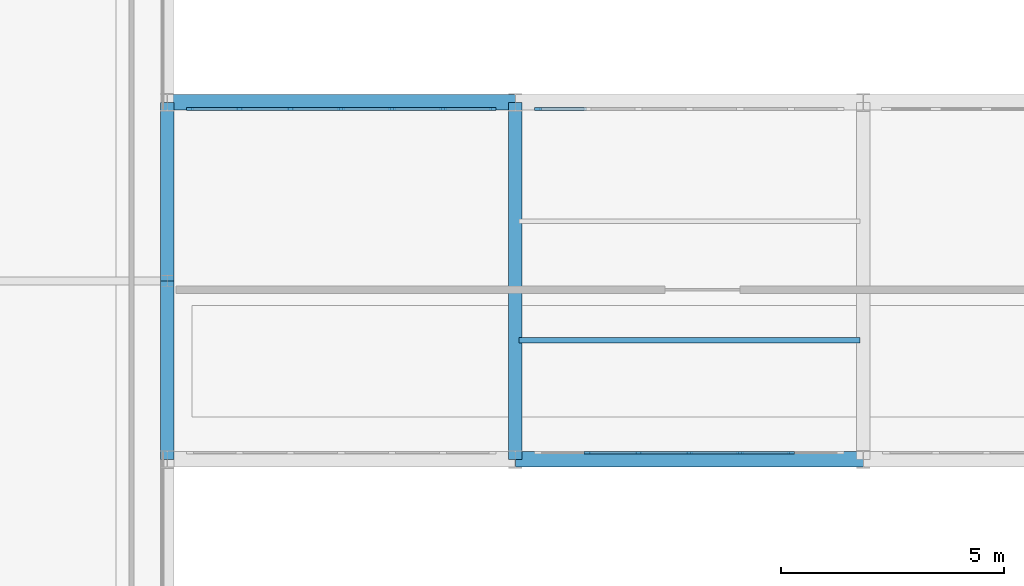
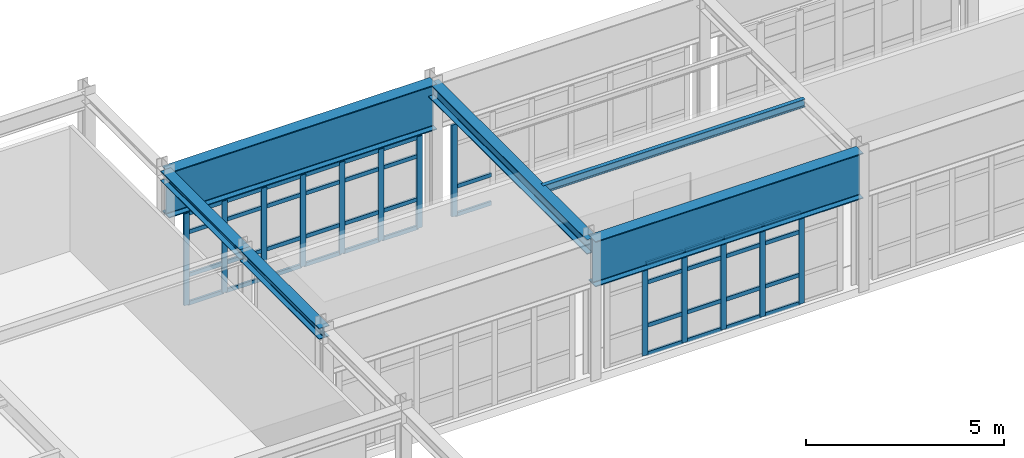
# One storey, part 32 of 106: 55 members, 6 beams, 3 elements without a shape of their own.
"""IFC4 building model written with IfcOpenShell, lengths in metres."""

from ifc_helpers import new_model, si_unit, derived_unit, direction, frame, origin, origin_2d, place, context, subcontext, project, spatial, rectangle, i_section, extrude, material, layer, layer_set, material_profile, profile_set, type_object, element, aggregate, save


model = new_model("IFC4")

# Units and contexts
model_context = context("Model", 3, precision=1e-05, world=origin(), true_north=direction((0.0, 1.0)))
body_context = subcontext(model_context, "Body", "Model", "MODEL_VIEW")
ifc_project = project(units=[si_unit("LENGTHUNIT", "METRE"), si_unit("AREAUNIT", "SQUARE_METRE"), si_unit("VOLUMEUNIT", "CUBIC_METRE"), si_unit("PLANEANGLEUNIT", "RADIAN"), si_unit("MASSUNIT", "GRAM", prefix="KILO"), derived_unit("THERMALTRANSMITTANCEUNIT", [(si_unit("POWERUNIT", "WATT"), 1), (si_unit("AREAUNIT", "SQUARE_METRE"), -1), (si_unit("THERMODYNAMICTEMPERATUREUNIT", "KELVIN"), -1)])], contexts=[model_context])

# Site, building, storey
site_placement = place(None, origin())
site = spatial("IfcSite", under=ifc_project, at=site_placement, CompositionType="ELEMENT")
building_placement = place(site_placement, origin())
building = spatial("IfcBuilding", under=site, at=building_placement, Name="Yasenodar Specialist Clinic", CompositionType="ELEMENT")
storey_placement = place(building_placement, frame((0.0, 0.0, 4.5)))
storey = spatial("IfcBuildingStorey", under=building, at=storey_placement, Name="L01", CompositionType="ELEMENT", Elevation=4.5)

# Beams
ifc_material_1 = material(Name="Steel S355", Category="steel")
ifc_material_profile_1 = material_profile(ifc_material_1, i_section(OverallWidth=0.300048828125, OverallDepth=0.300048828125, WebThickness=0.010986328125, FlangeThickness=0.01904296875, FilletRadius=0.027099609375, at=origin_2d()), Name="HEB 300")
ifc_profile_set_1 = profile_set([ifc_material_profile_1], Name="Steel S355")
beam_type_1 = type_object("IfcBeamType", Name="BM-HEB300", PredefinedType="BEAM", material=ifc_profile_set_1)
beam_1_placement = place(storey_placement, frame((33.60009765625, 58.800048828125, 4.10009765625), z_axis=(0.0, 1.0, 0.0), x_axis=(-1.0, 0.0, 0.0)))
element("IfcBeam", 1, at=beam_1_placement, inside=storey, type_object=beam_type_1, Name="L01 Primary N-S Girder", PredefinedType="BEAM", context=body_context, shape_type="SweptSolid", body=[
    extrude(i_section(OverallWidth=0.300048828125, OverallDepth=0.300048828125, WebThickness=0.010986328125, FlangeThickness=0.01904296875, FilletRadius=0.027099609375, at=origin_2d()), origin(), (0.0, 0.0, 1.0), 4.0),
])
ifc_material_profile_2 = material_profile(ifc_material_1, i_section(OverallWidth=0.300048828125, OverallDepth=0.340087890625, WebThickness=0.011962890625, FlangeThickness=0.021484375, FilletRadius=0.027099609375, at=origin_2d()), Name="HEB 340")
ifc_profile_set_2 = profile_set([ifc_material_profile_2], Name="Steel S355")
beam_type_2 = type_object("IfcBeamType", Name="BM-HEB340", PredefinedType="BEAM", material=ifc_profile_set_2)
beam_2_placement = place(storey_placement, frame((33.60009765625, 54.800048828125, 4.080078125), z_axis=(0.0, 1.0, 0.0), x_axis=(-1.0, 0.0, 0.0)))
element("IfcBeam", 2, at=beam_2_placement, inside=storey, type_object=beam_type_2, Name="L01 Primary N-S Girder", PredefinedType="BEAM", context=body_context, shape_type="SweptSolid", body=[
    extrude(i_section(OverallWidth=0.300048828125, OverallDepth=0.340087890625, WebThickness=0.011962890625, FlangeThickness=0.021484375, FilletRadius=0.027099609375, at=origin_2d()), origin(), (0.0, 0.0, 1.0), 4.0),
])
ifc_material_profile_3 = material_profile(ifc_material_1, i_section(OverallWidth=0.300048828125, OverallDepth=0.449951171875, WebThickness=0.013916015625, FlangeThickness=0.02587890625, FilletRadius=0.027099609375, at=origin_2d()), Name="HEB 450")
ifc_profile_set_3 = profile_set([ifc_material_profile_3], Name="Steel S355")
beam_type_3 = type_object("IfcBeamType", Name="BM-HEB450", PredefinedType="BEAM", material=ifc_profile_set_3)
beam_3_placement = place(storey_placement, frame((41.39990234375, 54.800048828125, 4.02490234375), z_axis=(0.0, 1.0, 0.0), x_axis=(-1.0, 0.0, 0.0)))
element("IfcBeam", 3, at=beam_3_placement, inside=storey, type_object=beam_type_3, Name="L01 Primary N-S Girder", PredefinedType="BEAM", context=body_context, shape_type="SweptSolid", body=[
    extrude(i_section(OverallWidth=0.300048828125, OverallDepth=0.449951171875, WebThickness=0.013916015625, FlangeThickness=0.02587890625, FilletRadius=0.027099609375, at=origin_2d()), origin(), (0.0, 0.0, 1.0), 8.0),
])
ifc_material_profile_4 = material_profile(ifc_material_1, i_section(OverallWidth=0.35009765625, OverallDepth=1.39990234375, WebThickness=0.01611328125, FlangeThickness=0.028076171875, FilletRadius=0.02392578125, at=origin_2d()), Name="PG 1400x350")
ifc_profile_set_4 = profile_set([ifc_material_profile_4], Name="Steel S355")
beam_type_4 = type_object("IfcBeamType", Name="BM-PG-1400", PredefinedType="BEAM", material=ifc_profile_set_4)
beam_4_placement = place(storey_placement, frame((41.39990234375, 54.800048828125, 3.550048828125), z_axis=(1.0, 0.0, 0.0), x_axis=(0.0, 1.0, 0.0)))
element("IfcBeam", 4, at=beam_4_placement, inside=storey, type_object=beam_type_4, Name="L01 Light Bridge Plate Girder", PredefinedType="BEAM", context=body_context, shape_type="SweptSolid", body=[
    extrude(i_section(OverallWidth=0.35009765625, OverallDepth=1.39990234375, WebThickness=0.01611328125, FlangeThickness=0.028076171875, FilletRadius=0.02392578125, at=origin_2d()), origin(), (0.0, 0.0, 1.0), 7.800048828125),
])
beam_5_placement = place(storey_placement, frame((33.60009765625, 62.800048828125, 3.550048828125), z_axis=(1.0, 0.0, 0.0), x_axis=(0.0, 1.0, 0.0)))
element("IfcBeam", 5, at=beam_5_placement, inside=storey, type_object=beam_type_4, Name="L01 Light Bridge Plate Girder", PredefinedType="BEAM", context=body_context, shape_type="SweptSolid", body=[
    extrude(i_section(OverallWidth=0.35009765625, OverallDepth=1.39990234375, WebThickness=0.01611328125, FlangeThickness=0.028076171875, FilletRadius=0.02392578125, at=origin_2d()), origin(), (0.0, 0.0, 1.0), 7.7998046875),
])

# Curtain wall, members
ifc_material_2 = material(Name="Bronze Anodized Aluminium and Triple Low-E Glass", Category="aluminium")
ifc_layer = layer(ifc_material_2, 0.19091796875)
ifc_layer_set = layer_set([ifc_layer], Name="Bronze Anodized Aluminium and Triple Low-E Glass")
curtain_wall_type = type_object("IfcCurtainWallType", Name="CW-SYS-03", PredefinedType="USERDEFINED", material=ifc_layer_set)
curtain_wall_1_placement = place(storey_placement, origin())
curtain_wall_1 = element("IfcCurtainWall", 6, at=curtain_wall_1_placement, inside=storey, type_object=curtain_wall_type, Name="L01 Unitised Curtain Wall 101", ObjectType="UNITISED CURTAIN WALL", PredefinedType="USERDEFINED")
ifc_material_3 = material(Name="Bronze Anodized Aluminium", Category="aluminium")
ifc_material_profile_5 = material_profile(ifc_material_3, rectangle(XDim=0.06005859375, YDim=0.159912109375, at=origin_2d()), Name="CW-MULL 60x160")
ifc_profile_set_5 = profile_set([ifc_material_profile_5], Name="Bronze Anodized Aluminium")
member_type_1 = type_object("IfcMemberType", Name="CW-MULL-160", PredefinedType="MULLION", material=ifc_profile_set_5)
member_1_placement = place(storey_placement, frame((34.110107421875, 62.64990234375, 0.0), z_axis=(0.0, 0.0, 1.0), x_axis=(0.0, 1.0, 0.0)))
member_1 = element("IfcMember", 7, at=member_1_placement, type_object=member_type_1, Name="CW-03 mullion 1", PredefinedType="MULLION", context=body_context, shape_type="SweptSolid", body=[
    extrude(rectangle(XDim=0.06005859375, YDim=0.159912109375, at=origin_2d()), origin(), (0.0, 0.0, 1.0), 2.827880859375),
])
member_2_placement = place(storey_placement, frame((35.219970703125, 62.64990234375, 0.0), z_axis=(0.0, 0.0, 1.0), x_axis=(0.0, 1.0, 0.0)))
member_2 = element("IfcMember", 8, at=member_2_placement, type_object=member_type_1, Name="CW-03 mullion 2", PredefinedType="MULLION", context=body_context, shape_type="SweptSolid", body=[
    extrude(rectangle(XDim=0.06005859375, YDim=0.159912109375, at=origin_2d()), origin(), (0.0, 0.0, 1.0), 2.827880859375),
])
member_3_placement = place(storey_placement, frame((36.360107421875, 62.64990234375, 0.0), z_axis=(0.0, 0.0, 1.0), x_axis=(0.0, 1.0, 0.0)))
member_3 = element("IfcMember", 9, at=member_3_placement, type_object=member_type_1, Name="CW-03 mullion 3", PredefinedType="MULLION", context=body_context, shape_type="SweptSolid", body=[
    extrude(rectangle(XDim=0.06005859375, YDim=0.159912109375, at=origin_2d()), origin(), (0.0, 0.0, 1.0), 2.827880859375),
])
member_4_placement = place(storey_placement, frame((37.5, 62.64990234375, 0.0), z_axis=(0.0, 0.0, 1.0), x_axis=(0.0, 1.0, 0.0)))
member_4 = element("IfcMember", 10, at=member_4_placement, type_object=member_type_1, Name="CW-03 mullion 4", PredefinedType="MULLION", context=body_context, shape_type="SweptSolid", body=[
    extrude(rectangle(XDim=0.06005859375, YDim=0.159912109375, at=origin_2d()), origin(), (0.0, 0.0, 1.0), 2.827880859375),
])
member_5_placement = place(storey_placement, frame((38.639892578125, 62.64990234375, 0.0), z_axis=(0.0, 0.0, 1.0), x_axis=(0.0, 1.0, 0.0)))
member_5 = element("IfcMember", 11, at=member_5_placement, type_object=member_type_1, Name="CW-03 mullion 5", PredefinedType="MULLION", context=body_context, shape_type="SweptSolid", body=[
    extrude(rectangle(XDim=0.06005859375, YDim=0.159912109375, at=origin_2d()), origin(), (0.0, 0.0, 1.0), 2.827880859375),
])
member_6_placement = place(storey_placement, frame((39.780029296875, 62.64990234375, 0.0), z_axis=(0.0, 0.0, 1.0), x_axis=(0.0, 1.0, 0.0)))
member_6 = element("IfcMember", 12, at=member_6_placement, type_object=member_type_1, Name="CW-03 mullion 6", PredefinedType="MULLION", context=body_context, shape_type="SweptSolid", body=[
    extrude(rectangle(XDim=0.06005859375, YDim=0.159912109375, at=origin_2d()), origin(), (0.0, 0.0, 1.0), 2.827880859375),
])
member_7_placement = place(storey_placement, frame((40.889892578125, 62.64990234375, 0.0), z_axis=(0.0, 0.0, 1.0), x_axis=(0.0, 1.0, 0.0)))
member_7 = element("IfcMember", 13, at=member_7_placement, type_object=member_type_1, Name="CW-03 mullion 7", PredefinedType="MULLION", context=body_context, shape_type="SweptSolid", body=[
    extrude(rectangle(XDim=0.06005859375, YDim=0.159912109375, at=origin_2d()), origin(), (0.0, 0.0, 1.0), 2.827880859375),
])

# Curtain wall, member
curtain_wall_2_placement = place(storey_placement, origin())
curtain_wall_2 = element("IfcCurtainWall", 14, at=curtain_wall_2_placement, inside=storey, type_object=curtain_wall_type, Name="L01 Unitised Curtain Wall 103", ObjectType="UNITISED CURTAIN WALL", PredefinedType="USERDEFINED")
member_8_placement = place(storey_placement, frame((41.909912109375, 62.64990234375, 0.0), z_axis=(0.0, 0.0, 1.0), x_axis=(0.0, 1.0, 0.0)))
member_8 = element("IfcMember", 15, at=member_8_placement, type_object=member_type_1, Name="CW-03 mullion 1", PredefinedType="MULLION", context=body_context, shape_type="SweptSolid", body=[
    extrude(rectangle(XDim=0.06005859375, YDim=0.159912109375, at=origin_2d()), origin(), (0.0, 0.0, 1.0), 2.827880859375),
])

# Curtain wall, members
curtain_wall_3_placement = place(storey_placement, origin())
curtain_wall_3 = element("IfcCurtainWall", 16, at=curtain_wall_3_placement, inside=storey, type_object=curtain_wall_type, Name="L01 Unitised Curtain Wall 104", ObjectType="UNITISED CURTAIN WALL", PredefinedType="USERDEFINED")
member_9_placement = place(storey_placement, frame((47.580078125, 54.949951171875, 0.0), z_axis=(0.0, 0.0, 1.0), x_axis=(0.0, -1.0, 0.0)))
member_9 = element("IfcMember", 17, at=member_9_placement, type_object=member_type_1, Name="CW-03 mullion 2", PredefinedType="MULLION", context=body_context, shape_type="SweptSolid", body=[
    extrude(rectangle(XDim=0.06005859375, YDim=0.159912109375, at=origin_2d()), origin(), (0.0, 0.0, 1.0), 2.827880859375),
])
member_10_placement = place(storey_placement, frame((46.43994140625, 54.949951171875, 0.0), z_axis=(0.0, 0.0, 1.0), x_axis=(0.0, -1.0, 0.0)))
member_10 = element("IfcMember", 18, at=member_10_placement, type_object=member_type_1, Name="CW-03 mullion 3", PredefinedType="MULLION", context=body_context, shape_type="SweptSolid", body=[
    extrude(rectangle(XDim=0.06005859375, YDim=0.159912109375, at=origin_2d()), origin(), (0.0, 0.0, 1.0), 2.827880859375),
])
member_11_placement = place(storey_placement, frame((45.300048828125, 54.949951171875, 0.0), z_axis=(0.0, 0.0, 1.0), x_axis=(0.0, -1.0, 0.0)))
member_11 = element("IfcMember", 19, at=member_11_placement, type_object=member_type_1, Name="CW-03 mullion 4", PredefinedType="MULLION", context=body_context, shape_type="SweptSolid", body=[
    extrude(rectangle(XDim=0.06005859375, YDim=0.159912109375, at=origin_2d()), origin(), (0.0, 0.0, 1.0), 2.827880859375),
])
member_12_placement = place(storey_placement, frame((44.159912109375, 54.949951171875, 0.0), z_axis=(0.0, 0.0, 1.0), x_axis=(0.0, -1.0, 0.0)))
member_12 = element("IfcMember", 20, at=member_12_placement, type_object=member_type_1, Name="CW-03 mullion 5", PredefinedType="MULLION", context=body_context, shape_type="SweptSolid", body=[
    extrude(rectangle(XDim=0.06005859375, YDim=0.159912109375, at=origin_2d()), origin(), (0.0, 0.0, 1.0), 2.827880859375),
])
member_13_placement = place(storey_placement, frame((43.02001953125, 54.949951171875, 0.0), z_axis=(0.0, 0.0, 1.0), x_axis=(0.0, -1.0, 0.0)))
member_13 = element("IfcMember", 21, at=member_13_placement, type_object=member_type_1, Name="CW-03 mullion 6", PredefinedType="MULLION", context=body_context, shape_type="SweptSolid", body=[
    extrude(rectangle(XDim=0.06005859375, YDim=0.159912109375, at=origin_2d()), origin(), (0.0, 0.0, 1.0), 2.827880859375),
])

# Member
ifc_material_profile_6 = material_profile(ifc_material_3, rectangle(XDim=0.06005859375, YDim=0.1201171875, at=origin_2d()), Name="CW-TRAN 60x120")
ifc_profile_set_6 = profile_set([ifc_material_profile_6], Name="Bronze Anodized Aluminium")
member_type_2 = type_object("IfcMemberType", Name="CW-TRAN-120", PredefinedType="USERDEFINED", material=ifc_profile_set_6)
member_14_placement = place(storey_placement, frame((34.139892578125, 62.64990234375, 0.030029296875), z_axis=(1.0, 0.0, 0.0), x_axis=(0.0, 1.0, 0.0)))
member_14 = element("IfcMember", 22, at=member_14_placement, type_object=member_type_2, Name="CW-03 transom 1.1", ObjectType="TRANSOM", PredefinedType="USERDEFINED", context=body_context, shape_type="SweptSolid", body=[
    extrude(rectangle(XDim=0.06005859375, YDim=0.1201171875, at=origin_2d()), origin(), (0.0, 0.0, 1.0), 1.050048828125),
])

member_15_placement = place(storey_placement, frame((34.139892578125, 62.64990234375, 0.89990234375), z_axis=(1.0, 0.0, 0.0), x_axis=(0.0, 1.0, 0.0)))
member_15 = element("IfcMember", 23, at=member_15_placement, type_object=member_type_2, Name="CW-03 transom 1.2", ObjectType="TRANSOM", PredefinedType="USERDEFINED", context=body_context, shape_type="SweptSolid", body=[
    extrude(rectangle(XDim=0.06005859375, YDim=0.1201171875, at=origin_2d()), origin(), (0.0, 0.0, 1.0), 1.050048828125),
])

member_16_placement = place(storey_placement, frame((34.139892578125, 62.64990234375, 2.22802734375), z_axis=(1.0, 0.0, 0.0), x_axis=(0.0, 1.0, 0.0)))
member_16 = element("IfcMember", 24, at=member_16_placement, type_object=member_type_2, Name="CW-03 transom 1.3", ObjectType="TRANSOM", PredefinedType="USERDEFINED", context=body_context, shape_type="SweptSolid", body=[
    extrude(rectangle(XDim=0.06005859375, YDim=0.1201171875, at=origin_2d()), origin(), (0.0, 0.0, 1.0), 1.050048828125),
])

member_17_placement = place(storey_placement, frame((34.139892578125, 62.64990234375, 2.798095703125), z_axis=(1.0, 0.0, 0.0), x_axis=(0.0, 1.0, 0.0)))
member_17 = element("IfcMember", 25, at=member_17_placement, type_object=member_type_2, Name="CW-03 transom 1.4", ObjectType="TRANSOM", PredefinedType="USERDEFINED", context=body_context, shape_type="SweptSolid", body=[
    extrude(rectangle(XDim=0.06005859375, YDim=0.1201171875, at=origin_2d()), origin(), (0.0, 0.0, 1.0), 1.050048828125),
])

member_18_placement = place(storey_placement, frame((35.25, 62.64990234375, 0.030029296875), z_axis=(1.0, 0.0, 0.0), x_axis=(0.0, 1.0, 0.0)))
member_18 = element("IfcMember", 26, at=member_18_placement, type_object=member_type_2, Name="CW-03 transom 2.1", ObjectType="TRANSOM", PredefinedType="USERDEFINED", context=body_context, shape_type="SweptSolid", body=[
    extrude(rectangle(XDim=0.06005859375, YDim=0.1201171875, at=origin_2d()), origin(), (0.0, 0.0, 1.0), 1.080078125),
])

member_19_placement = place(storey_placement, frame((35.25, 62.64990234375, 0.89990234375), z_axis=(1.0, 0.0, 0.0), x_axis=(0.0, 1.0, 0.0)))
member_19 = element("IfcMember", 27, at=member_19_placement, type_object=member_type_2, Name="CW-03 transom 2.2", ObjectType="TRANSOM", PredefinedType="USERDEFINED", context=body_context, shape_type="SweptSolid", body=[
    extrude(rectangle(XDim=0.06005859375, YDim=0.1201171875, at=origin_2d()), origin(), (0.0, 0.0, 1.0), 1.080078125),
])

member_20_placement = place(storey_placement, frame((35.25, 62.64990234375, 2.22802734375), z_axis=(1.0, 0.0, 0.0), x_axis=(0.0, 1.0, 0.0)))
member_20 = element("IfcMember", 28, at=member_20_placement, type_object=member_type_2, Name="CW-03 transom 2.3", ObjectType="TRANSOM", PredefinedType="USERDEFINED", context=body_context, shape_type="SweptSolid", body=[
    extrude(rectangle(XDim=0.06005859375, YDim=0.1201171875, at=origin_2d()), origin(), (0.0, 0.0, 1.0), 1.080078125),
])

member_21_placement = place(storey_placement, frame((35.25, 62.64990234375, 2.798095703125), z_axis=(1.0, 0.0, 0.0), x_axis=(0.0, 1.0, 0.0)))
member_21 = element("IfcMember", 29, at=member_21_placement, type_object=member_type_2, Name="CW-03 transom 2.4", ObjectType="TRANSOM", PredefinedType="USERDEFINED", context=body_context, shape_type="SweptSolid", body=[
    extrude(rectangle(XDim=0.06005859375, YDim=0.1201171875, at=origin_2d()), origin(), (0.0, 0.0, 1.0), 1.080078125),
])

member_22_placement = place(storey_placement, frame((36.389892578125, 62.64990234375, 0.030029296875), z_axis=(1.0, 0.0, 0.0), x_axis=(0.0, 1.0, 0.0)))
member_22 = element("IfcMember", 30, at=member_22_placement, type_object=member_type_2, Name="CW-03 transom 3.1", ObjectType="TRANSOM", PredefinedType="USERDEFINED", context=body_context, shape_type="SweptSolid", body=[
    extrude(rectangle(XDim=0.06005859375, YDim=0.1201171875, at=origin_2d()), origin(), (0.0, 0.0, 1.0), 1.080078125),
])

member_23_placement = place(storey_placement, frame((36.389892578125, 62.64990234375, 0.89990234375), z_axis=(1.0, 0.0, 0.0), x_axis=(0.0, 1.0, 0.0)))
member_23 = element("IfcMember", 31, at=member_23_placement, type_object=member_type_2, Name="CW-03 transom 3.2", ObjectType="TRANSOM", PredefinedType="USERDEFINED", context=body_context, shape_type="SweptSolid", body=[
    extrude(rectangle(XDim=0.06005859375, YDim=0.1201171875, at=origin_2d()), origin(), (0.0, 0.0, 1.0), 1.080078125),
])

member_24_placement = place(storey_placement, frame((36.389892578125, 62.64990234375, 2.22802734375), z_axis=(1.0, 0.0, 0.0), x_axis=(0.0, 1.0, 0.0)))
member_24 = element("IfcMember", 32, at=member_24_placement, type_object=member_type_2, Name="CW-03 transom 3.3", ObjectType="TRANSOM", PredefinedType="USERDEFINED", context=body_context, shape_type="SweptSolid", body=[
    extrude(rectangle(XDim=0.06005859375, YDim=0.1201171875, at=origin_2d()), origin(), (0.0, 0.0, 1.0), 1.080078125),
])

member_25_placement = place(storey_placement, frame((36.389892578125, 62.64990234375, 2.798095703125), z_axis=(1.0, 0.0, 0.0), x_axis=(0.0, 1.0, 0.0)))
member_25 = element("IfcMember", 33, at=member_25_placement, type_object=member_type_2, Name="CW-03 transom 3.4", ObjectType="TRANSOM", PredefinedType="USERDEFINED", context=body_context, shape_type="SweptSolid", body=[
    extrude(rectangle(XDim=0.06005859375, YDim=0.1201171875, at=origin_2d()), origin(), (0.0, 0.0, 1.0), 1.080078125),
])

member_26_placement = place(storey_placement, frame((37.530029296875, 62.64990234375, 0.030029296875), z_axis=(1.0, 0.0, 0.0), x_axis=(0.0, 1.0, 0.0)))
member_26 = element("IfcMember", 34, at=member_26_placement, type_object=member_type_2, Name="CW-03 transom 4.1", ObjectType="TRANSOM", PredefinedType="USERDEFINED", context=body_context, shape_type="SweptSolid", body=[
    extrude(rectangle(XDim=0.06005859375, YDim=0.1201171875, at=origin_2d()), origin(), (0.0, 0.0, 1.0), 1.080078125),
])

member_27_placement = place(storey_placement, frame((37.530029296875, 62.64990234375, 0.89990234375), z_axis=(1.0, 0.0, 0.0), x_axis=(0.0, 1.0, 0.0)))
member_27 = element("IfcMember", 35, at=member_27_placement, type_object=member_type_2, Name="CW-03 transom 4.2", ObjectType="TRANSOM", PredefinedType="USERDEFINED", context=body_context, shape_type="SweptSolid", body=[
    extrude(rectangle(XDim=0.06005859375, YDim=0.1201171875, at=origin_2d()), origin(), (0.0, 0.0, 1.0), 1.080078125),
])

member_28_placement = place(storey_placement, frame((37.530029296875, 62.64990234375, 2.22802734375), z_axis=(1.0, 0.0, 0.0), x_axis=(0.0, 1.0, 0.0)))
member_28 = element("IfcMember", 36, at=member_28_placement, type_object=member_type_2, Name="CW-03 transom 4.3", ObjectType="TRANSOM", PredefinedType="USERDEFINED", context=body_context, shape_type="SweptSolid", body=[
    extrude(rectangle(XDim=0.06005859375, YDim=0.1201171875, at=origin_2d()), origin(), (0.0, 0.0, 1.0), 1.080078125),
])

member_29_placement = place(storey_placement, frame((37.530029296875, 62.64990234375, 2.798095703125), z_axis=(1.0, 0.0, 0.0), x_axis=(0.0, 1.0, 0.0)))
member_29 = element("IfcMember", 37, at=member_29_placement, type_object=member_type_2, Name="CW-03 transom 4.4", ObjectType="TRANSOM", PredefinedType="USERDEFINED", context=body_context, shape_type="SweptSolid", body=[
    extrude(rectangle(XDim=0.06005859375, YDim=0.1201171875, at=origin_2d()), origin(), (0.0, 0.0, 1.0), 1.080078125),
])

member_30_placement = place(storey_placement, frame((38.669921875, 62.64990234375, 0.030029296875), z_axis=(1.0, 0.0, 0.0), x_axis=(0.0, 1.0, 0.0)))
member_30 = element("IfcMember", 38, at=member_30_placement, type_object=member_type_2, Name="CW-03 transom 5.1", ObjectType="TRANSOM", PredefinedType="USERDEFINED", context=body_context, shape_type="SweptSolid", body=[
    extrude(rectangle(XDim=0.06005859375, YDim=0.1201171875, at=origin_2d()), origin(), (0.0, 0.0, 1.0), 1.080078125),
])

member_31_placement = place(storey_placement, frame((38.669921875, 62.64990234375, 0.89990234375), z_axis=(1.0, 0.0, 0.0), x_axis=(0.0, 1.0, 0.0)))
member_31 = element("IfcMember", 39, at=member_31_placement, type_object=member_type_2, Name="CW-03 transom 5.2", ObjectType="TRANSOM", PredefinedType="USERDEFINED", context=body_context, shape_type="SweptSolid", body=[
    extrude(rectangle(XDim=0.06005859375, YDim=0.1201171875, at=origin_2d()), origin(), (0.0, 0.0, 1.0), 1.080078125),
])

member_32_placement = place(storey_placement, frame((38.669921875, 62.64990234375, 2.22802734375), z_axis=(1.0, 0.0, 0.0), x_axis=(0.0, 1.0, 0.0)))
member_32 = element("IfcMember", 40, at=member_32_placement, type_object=member_type_2, Name="CW-03 transom 5.3", ObjectType="TRANSOM", PredefinedType="USERDEFINED", context=body_context, shape_type="SweptSolid", body=[
    extrude(rectangle(XDim=0.06005859375, YDim=0.1201171875, at=origin_2d()), origin(), (0.0, 0.0, 1.0), 1.080078125),
])

member_33_placement = place(storey_placement, frame((38.669921875, 62.64990234375, 2.798095703125), z_axis=(1.0, 0.0, 0.0), x_axis=(0.0, 1.0, 0.0)))
member_33 = element("IfcMember", 41, at=member_33_placement, type_object=member_type_2, Name="CW-03 transom 5.4", ObjectType="TRANSOM", PredefinedType="USERDEFINED", context=body_context, shape_type="SweptSolid", body=[
    extrude(rectangle(XDim=0.06005859375, YDim=0.1201171875, at=origin_2d()), origin(), (0.0, 0.0, 1.0), 1.080078125),
])

member_34_placement = place(storey_placement, frame((39.81005859375, 62.64990234375, 0.030029296875), z_axis=(1.0, 0.0, 0.0), x_axis=(0.0, 1.0, 0.0)))
member_34 = element("IfcMember", 42, at=member_34_placement, type_object=member_type_2, Name="CW-03 transom 6.1", ObjectType="TRANSOM", PredefinedType="USERDEFINED", context=body_context, shape_type="SweptSolid", body=[
    extrude(rectangle(XDim=0.06005859375, YDim=0.1201171875, at=origin_2d()), origin(), (0.0, 0.0, 1.0), 1.050048828125),
])

member_35_placement = place(storey_placement, frame((39.81005859375, 62.64990234375, 0.89990234375), z_axis=(1.0, 0.0, 0.0), x_axis=(0.0, 1.0, 0.0)))
member_35 = element("IfcMember", 43, at=member_35_placement, type_object=member_type_2, Name="CW-03 transom 6.2", ObjectType="TRANSOM", PredefinedType="USERDEFINED", context=body_context, shape_type="SweptSolid", body=[
    extrude(rectangle(XDim=0.06005859375, YDim=0.1201171875, at=origin_2d()), origin(), (0.0, 0.0, 1.0), 1.050048828125),
])

member_36_placement = place(storey_placement, frame((39.81005859375, 62.64990234375, 2.22802734375), z_axis=(1.0, 0.0, 0.0), x_axis=(0.0, 1.0, 0.0)))
member_36 = element("IfcMember", 44, at=member_36_placement, type_object=member_type_2, Name="CW-03 transom 6.3", ObjectType="TRANSOM", PredefinedType="USERDEFINED", context=body_context, shape_type="SweptSolid", body=[
    extrude(rectangle(XDim=0.06005859375, YDim=0.1201171875, at=origin_2d()), origin(), (0.0, 0.0, 1.0), 1.050048828125),
])

member_37_placement = place(storey_placement, frame((39.81005859375, 62.64990234375, 2.798095703125), z_axis=(1.0, 0.0, 0.0), x_axis=(0.0, 1.0, 0.0)))
member_37 = element("IfcMember", 45, at=member_37_placement, type_object=member_type_2, Name="CW-03 transom 6.4", ObjectType="TRANSOM", PredefinedType="USERDEFINED", context=body_context, shape_type="SweptSolid", body=[
    extrude(rectangle(XDim=0.06005859375, YDim=0.1201171875, at=origin_2d()), origin(), (0.0, 0.0, 1.0), 1.050048828125),
])

aggregate(curtain_wall_1, [member_1, member_2, member_3, member_4, member_5, member_6, member_7, member_14, member_15, member_16, member_17, member_18, member_19, member_20, member_21, member_22, member_23, member_24, member_25, member_26, member_27, member_28, member_29, member_30, member_31, member_32, member_33, member_34, member_35, member_36, member_37])

member_38_placement = place(storey_placement, frame((41.93994140625, 62.64990234375, 0.030029296875), z_axis=(1.0, 0.0, 0.0), x_axis=(0.0, 1.0, 0.0)))
member_38 = element("IfcMember", 46, at=member_38_placement, type_object=member_type_2, Name="CW-03 transom 1.1", ObjectType="TRANSOM", PredefinedType="USERDEFINED", context=body_context, shape_type="SweptSolid", body=[
    extrude(rectangle(XDim=0.06005859375, YDim=0.1201171875, at=origin_2d()), origin(), (0.0, 0.0, 1.0), 1.050048828125),
])

member_39_placement = place(storey_placement, frame((41.93994140625, 62.64990234375, 0.89990234375), z_axis=(1.0, 0.0, 0.0), x_axis=(0.0, 1.0, 0.0)))
member_39 = element("IfcMember", 47, at=member_39_placement, type_object=member_type_2, Name="CW-03 transom 1.2", ObjectType="TRANSOM", PredefinedType="USERDEFINED", context=body_context, shape_type="SweptSolid", body=[
    extrude(rectangle(XDim=0.06005859375, YDim=0.1201171875, at=origin_2d()), origin(), (0.0, 0.0, 1.0), 1.050048828125),
])

aggregate(curtain_wall_2, [member_8, member_38, member_39])

member_40_placement = place(storey_placement, frame((47.550048828125, 54.949951171875, 0.030029296875), z_axis=(-1.0, 0.0, 0.0), x_axis=(0.0, -1.0, 0.0)))
member_40 = element("IfcMember", 48, at=member_40_placement, type_object=member_type_2, Name="CW-03 transom 2.1", ObjectType="TRANSOM", PredefinedType="USERDEFINED", context=body_context, shape_type="SweptSolid", body=[
    extrude(rectangle(XDim=0.06005859375, YDim=0.1201171875, at=origin_2d()), origin(), (0.0, 0.0, 1.0), 1.080078125),
])

member_41_placement = place(storey_placement, frame((47.550048828125, 54.949951171875, 0.89990234375), z_axis=(-1.0, 0.0, 0.0), x_axis=(0.0, -1.0, 0.0)))
member_41 = element("IfcMember", 49, at=member_41_placement, type_object=member_type_2, Name="CW-03 transom 2.2", ObjectType="TRANSOM", PredefinedType="USERDEFINED", context=body_context, shape_type="SweptSolid", body=[
    extrude(rectangle(XDim=0.06005859375, YDim=0.1201171875, at=origin_2d()), origin(), (0.0, 0.0, 1.0), 1.080078125),
])

member_42_placement = place(storey_placement, frame((47.550048828125, 54.949951171875, 2.22802734375), z_axis=(-1.0, 0.0, 0.0), x_axis=(0.0, -1.0, 0.0)))
member_42 = element("IfcMember", 50, at=member_42_placement, type_object=member_type_2, Name="CW-03 transom 2.3", ObjectType="TRANSOM", PredefinedType="USERDEFINED", context=body_context, shape_type="SweptSolid", body=[
    extrude(rectangle(XDim=0.06005859375, YDim=0.1201171875, at=origin_2d()), origin(), (0.0, 0.0, 1.0), 1.080078125),
])

member_43_placement = place(storey_placement, frame((47.550048828125, 54.949951171875, 2.798095703125), z_axis=(-1.0, 0.0, 0.0), x_axis=(0.0, -1.0, 0.0)))
member_43 = element("IfcMember", 51, at=member_43_placement, type_object=member_type_2, Name="CW-03 transom 2.4", ObjectType="TRANSOM", PredefinedType="USERDEFINED", context=body_context, shape_type="SweptSolid", body=[
    extrude(rectangle(XDim=0.06005859375, YDim=0.1201171875, at=origin_2d()), origin(), (0.0, 0.0, 1.0), 1.080078125),
])

member_44_placement = place(storey_placement, frame((46.409912109375, 54.949951171875, 0.030029296875), z_axis=(-1.0, 0.0, 0.0), x_axis=(0.0, -1.0, 0.0)))
member_44 = element("IfcMember", 52, at=member_44_placement, type_object=member_type_2, Name="CW-03 transom 3.1", ObjectType="TRANSOM", PredefinedType="USERDEFINED", context=body_context, shape_type="SweptSolid", body=[
    extrude(rectangle(XDim=0.06005859375, YDim=0.1201171875, at=origin_2d()), origin(), (0.0, 0.0, 1.0), 1.079833984375),
])

member_45_placement = place(storey_placement, frame((46.409912109375, 54.949951171875, 0.89990234375), z_axis=(-1.0, 0.0, 0.0), x_axis=(0.0, -1.0, 0.0)))
member_45 = element("IfcMember", 53, at=member_45_placement, type_object=member_type_2, Name="CW-03 transom 3.2", ObjectType="TRANSOM", PredefinedType="USERDEFINED", context=body_context, shape_type="SweptSolid", body=[
    extrude(rectangle(XDim=0.06005859375, YDim=0.1201171875, at=origin_2d()), origin(), (0.0, 0.0, 1.0), 1.079833984375),
])

member_46_placement = place(storey_placement, frame((46.409912109375, 54.949951171875, 2.22802734375), z_axis=(-1.0, 0.0, 0.0), x_axis=(0.0, -1.0, 0.0)))
member_46 = element("IfcMember", 54, at=member_46_placement, type_object=member_type_2, Name="CW-03 transom 3.3", ObjectType="TRANSOM", PredefinedType="USERDEFINED", context=body_context, shape_type="SweptSolid", body=[
    extrude(rectangle(XDim=0.06005859375, YDim=0.1201171875, at=origin_2d()), origin(), (0.0, 0.0, 1.0), 1.079833984375),
])

member_47_placement = place(storey_placement, frame((46.409912109375, 54.949951171875, 2.798095703125), z_axis=(-1.0, 0.0, 0.0), x_axis=(0.0, -1.0, 0.0)))
member_47 = element("IfcMember", 55, at=member_47_placement, type_object=member_type_2, Name="CW-03 transom 3.4", ObjectType="TRANSOM", PredefinedType="USERDEFINED", context=body_context, shape_type="SweptSolid", body=[
    extrude(rectangle(XDim=0.06005859375, YDim=0.1201171875, at=origin_2d()), origin(), (0.0, 0.0, 1.0), 1.079833984375),
])

member_48_placement = place(storey_placement, frame((45.27001953125, 54.949951171875, 0.030029296875), z_axis=(-1.0, 0.0, 0.0), x_axis=(0.0, -1.0, 0.0)))
member_48 = element("IfcMember", 56, at=member_48_placement, type_object=member_type_2, Name="CW-03 transom 4.1", ObjectType="TRANSOM", PredefinedType="USERDEFINED", context=body_context, shape_type="SweptSolid", body=[
    extrude(rectangle(XDim=0.06005859375, YDim=0.1201171875, at=origin_2d()), origin(), (0.0, 0.0, 1.0), 1.080078125),
])

member_49_placement = place(storey_placement, frame((45.27001953125, 54.949951171875, 0.89990234375), z_axis=(-1.0, 0.0, 0.0), x_axis=(0.0, -1.0, 0.0)))
member_49 = element("IfcMember", 57, at=member_49_placement, type_object=member_type_2, Name="CW-03 transom 4.2", ObjectType="TRANSOM", PredefinedType="USERDEFINED", context=body_context, shape_type="SweptSolid", body=[
    extrude(rectangle(XDim=0.06005859375, YDim=0.1201171875, at=origin_2d()), origin(), (0.0, 0.0, 1.0), 1.080078125),
])

member_50_placement = place(storey_placement, frame((45.27001953125, 54.949951171875, 2.22802734375), z_axis=(-1.0, 0.0, 0.0), x_axis=(0.0, -1.0, 0.0)))
member_50 = element("IfcMember", 58, at=member_50_placement, type_object=member_type_2, Name="CW-03 transom 4.3", ObjectType="TRANSOM", PredefinedType="USERDEFINED", context=body_context, shape_type="SweptSolid", body=[
    extrude(rectangle(XDim=0.06005859375, YDim=0.1201171875, at=origin_2d()), origin(), (0.0, 0.0, 1.0), 1.080078125),
])

member_51_placement = place(storey_placement, frame((45.27001953125, 54.949951171875, 2.798095703125), z_axis=(-1.0, 0.0, 0.0), x_axis=(0.0, -1.0, 0.0)))
member_51 = element("IfcMember", 59, at=member_51_placement, type_object=member_type_2, Name="CW-03 transom 4.4", ObjectType="TRANSOM", PredefinedType="USERDEFINED", context=body_context, shape_type="SweptSolid", body=[
    extrude(rectangle(XDim=0.06005859375, YDim=0.1201171875, at=origin_2d()), origin(), (0.0, 0.0, 1.0), 1.080078125),
])

member_52_placement = place(storey_placement, frame((44.1298828125, 54.949951171875, 0.030029296875), z_axis=(-1.0, 0.0, 0.0), x_axis=(0.0, -1.0, 0.0)))
member_52 = element("IfcMember", 60, at=member_52_placement, type_object=member_type_2, Name="CW-03 transom 5.1", ObjectType="TRANSOM", PredefinedType="USERDEFINED", context=body_context, shape_type="SweptSolid", body=[
    extrude(rectangle(XDim=0.06005859375, YDim=0.1201171875, at=origin_2d()), origin(), (0.0, 0.0, 1.0), 1.079833984375),
])

member_53_placement = place(storey_placement, frame((44.1298828125, 54.949951171875, 0.89990234375), z_axis=(-1.0, 0.0, 0.0), x_axis=(0.0, -1.0, 0.0)))
member_53 = element("IfcMember", 61, at=member_53_placement, type_object=member_type_2, Name="CW-03 transom 5.2", ObjectType="TRANSOM", PredefinedType="USERDEFINED", context=body_context, shape_type="SweptSolid", body=[
    extrude(rectangle(XDim=0.06005859375, YDim=0.1201171875, at=origin_2d()), origin(), (0.0, 0.0, 1.0), 1.079833984375),
])

member_54_placement = place(storey_placement, frame((44.1298828125, 54.949951171875, 2.22802734375), z_axis=(-1.0, 0.0, 0.0), x_axis=(0.0, -1.0, 0.0)))
member_54 = element("IfcMember", 62, at=member_54_placement, type_object=member_type_2, Name="CW-03 transom 5.3", ObjectType="TRANSOM", PredefinedType="USERDEFINED", context=body_context, shape_type="SweptSolid", body=[
    extrude(rectangle(XDim=0.06005859375, YDim=0.1201171875, at=origin_2d()), origin(), (0.0, 0.0, 1.0), 1.079833984375),
])

member_55_placement = place(storey_placement, frame((44.1298828125, 54.949951171875, 2.798095703125), z_axis=(-1.0, 0.0, 0.0), x_axis=(0.0, -1.0, 0.0)))
member_55 = element("IfcMember", 63, at=member_55_placement, type_object=member_type_2, Name="CW-03 transom 5.4", ObjectType="TRANSOM", PredefinedType="USERDEFINED", context=body_context, shape_type="SweptSolid", body=[
    extrude(rectangle(XDim=0.06005859375, YDim=0.1201171875, at=origin_2d()), origin(), (0.0, 0.0, 1.0), 1.079833984375),
])

aggregate(curtain_wall_3, [member_9, member_10, member_11, member_12, member_13, member_40, member_41, member_42, member_43, member_44, member_45, member_46, member_47, member_48, member_49, member_50, member_51, member_52, member_53, member_54, member_55])

# Beam
ifc_material_profile_7 = material_profile(ifc_material_1, i_section(OverallWidth=0.1201171875, OverallDepth=0.239990234375, WebThickness=0.006103515625, FlangeThickness=0.009765625, FilletRadius=0.014892578125, at=origin_2d()), Name="IPE 240")
ifc_profile_set_7 = profile_set([ifc_material_profile_7], Name="Steel S355")
beam_type_5 = type_object("IfcBeamType", Name="JS-IPE240", PredefinedType="JOIST", material=ifc_profile_set_7)
beam_6_placement = place(storey_placement, frame((41.47998046875, 57.466796875, 4.1298828125), z_axis=(1.0, 0.0, 0.0), x_axis=(0.0, 1.0, 0.0)))
element("IfcBeam", 64, at=beam_6_placement, inside=storey, type_object=beam_type_5, Name="L01 Composite Floor Joist", PredefinedType="JOIST", context=body_context, shape_type="SweptSolid", body=[
    extrude(i_section(OverallWidth=0.1201171875, OverallDepth=0.239990234375, WebThickness=0.006103515625, FlangeThickness=0.009765625, FilletRadius=0.014892578125, at=origin_2d()), origin(), (0.0, 0.0, 1.0), 7.64013671875),
])

save(model, "model.ifc")
